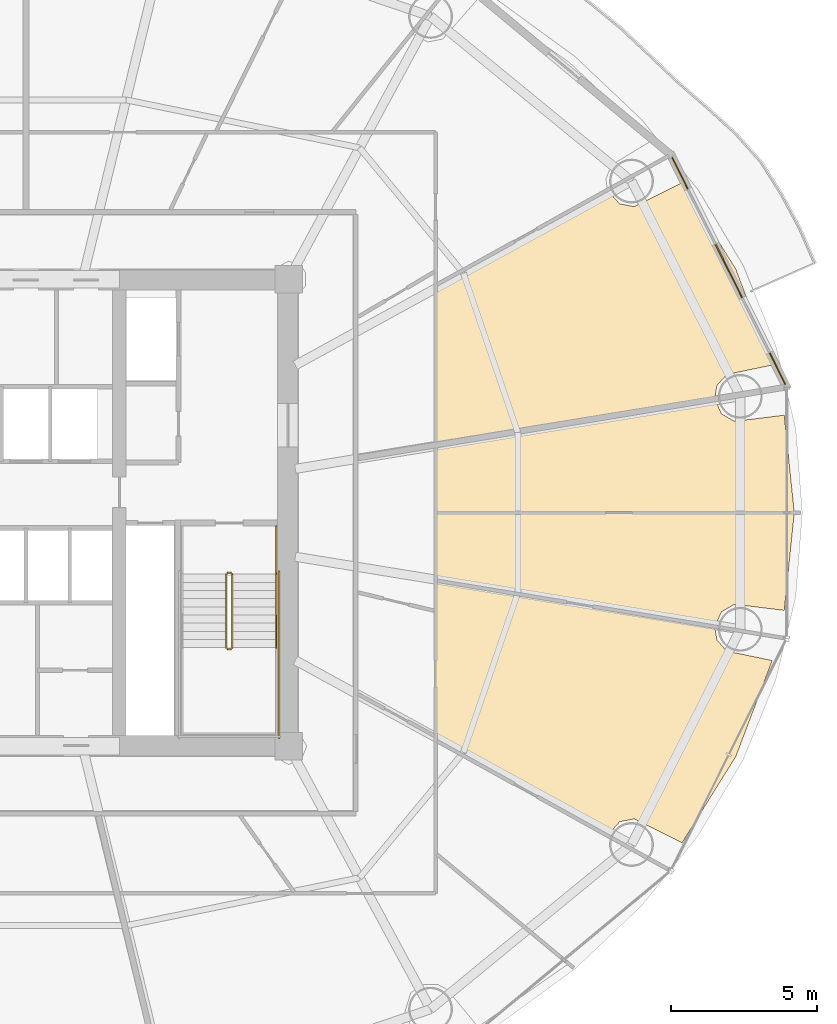
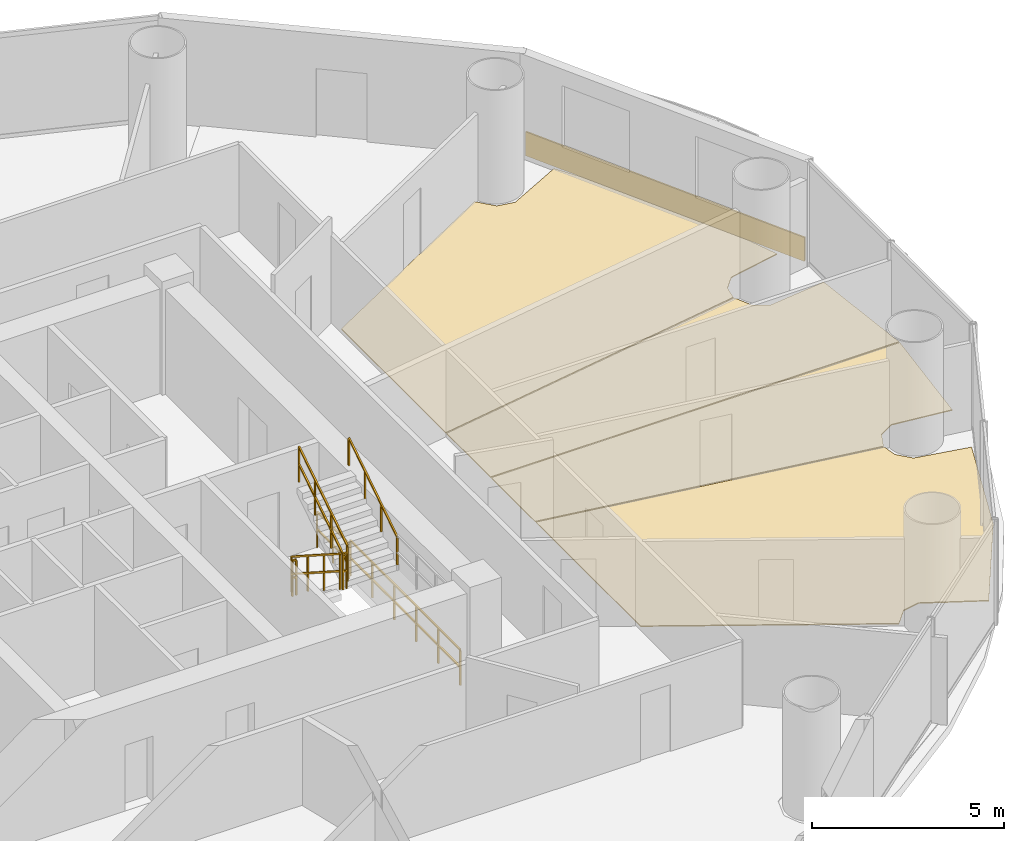
# One storey, part 28 of 29: 7 railings, 5 coverings.
"""IFC4 building model written with IfcOpenShell, lengths in metres."""

from ifc_helpers import new_model, si_unit, direction, frame, origin, origin_2d, place, context, subcontext, project, spatial, polyline, rectangle, outline, extrude, source, transform, mapped, material, layer, layer_set, type_object, element, save


model = new_model("IFC4")

# Units and contexts
model_context = context("Model", 3, precision=1e-05, world=origin(), true_north=direction((-0.2419218956, 0.970295726276)))
body_context = subcontext(model_context, "Body", "Model", "MODEL_VIEW")
ifc_project = project(units=[si_unit("LENGTHUNIT", "METRE"), si_unit("AREAUNIT", "SQUARE_METRE"), si_unit("VOLUMEUNIT", "CUBIC_METRE"), si_unit("PLANEANGLEUNIT", "RADIAN"), si_unit("MASSUNIT", "GRAM", prefix="KILO")], contexts=[model_context])

# Site, building, storey
site_placement = place(None, origin())
site = spatial("IfcSite", under=ifc_project, at=site_placement, CompositionType="ELEMENT")
building_placement = place(site_placement, origin())
building = spatial("IfcBuilding", under=site, at=building_placement, Name="Cobrevalo Terracotta Tower", CompositionType="ELEMENT")
storey_placement = place(building_placement, frame((0.0, 0.0, 83.39990234375)))
storey = spatial("IfcBuildingStorey", under=building, at=storey_placement, Name="L21", CompositionType="ELEMENT", Elevation=83.39990234375)

# Coverings
ifc_material_1 = material(Name="Engineered Brazilian hardwood flooring", Category="wood")
ifc_layer_1 = layer(ifc_material_1, 0.028076171875)
ifc_layer_set_1 = layer_set([ifc_layer_1], Name="Engineered Brazilian hardwood flooring")
covering_type_1 = type_object("IfcCoveringType", Name="Engineered Hardwood Suite Flooring 28", PredefinedType="FLOORING", material=ifc_layer_set_1)
covering_1_placement = place(storey_placement, origin())
element("IfcCovering", 1, at=covering_1_placement, inside=storey, type_object=covering_type_1, Name="Flat L21A Living and Dining Room floor finish", PredefinedType="FLOORING", context=body_context, shape_type="SweptSolid", body=[
    extrude(outline(polyline([(62.317138671875, 35.14892578125), (63.564208984375, 31.859619140625), (62.00732421875, 31.537841796875), (61.669677734375, 31.154541015625), (61.597412109375, 30.719970703125), (52.054931640625, 29.14306640625), (52.054931640625, 34.57958984375), (57.9296875, 37.8408203125), (58.338134765625, 37.381103515625), (58.84033203125, 37.286376953125), (60.474853515625, 38.10546875), (62.317138671875, 35.14892578125)])), origin(), (0.0, 0.0, 1.0), 0.030029296875),
])
covering_2_placement = place(storey_placement, origin())
element("IfcCovering", 2, at=covering_2_placement, inside=storey, type_object=covering_type_1, Name="Flat L21D Penthouse Family Lounge floor finish", PredefinedType="FLOORING", context=body_context, shape_type="SweptSolid", body=[
    extrude(outline(polyline([(60.474853515625, 15.49462890625), (58.84033203125, 16.3134765625), (58.338134765625, 16.218994140625), (57.9296875, 15.759033203125), (52.054931640625, 19.020263671875), (52.054931640625, 24.45703125), (61.597412109375, 22.8798828125), (61.669677734375, 22.445556640625), (62.00732421875, 22.06201171875), (63.564208984375, 21.740478515625), (62.317138671875, 18.451171875), (60.474853515625, 15.49462890625)])), origin(), (0.0, 0.0, 1.0), 0.030029296875),
])
covering_3_placement = place(storey_placement, origin())
element("IfcCovering", 3, at=covering_3_placement, inside=storey, type_object=covering_type_1, Name="Flat L21D Principal Guest Bedroom floor finish", PredefinedType="FLOORING", context=body_context, shape_type="SweptSolid", body=[
    extrude(outline(polyline([(64.318359375, 26.780029296875), (63.975830078125, 23.45654296875), (62.26904296875, 23.6669921875), (61.8271484375, 23.41064453125), (61.60302734375, 22.919677734375), (52.054931640625, 24.49755859375), (52.054931640625, 26.780029296875), (64.318359375, 26.780029296875)])), origin(), (0.0, 0.0, 1.0), 0.030029296875),
])
covering_4_placement = place(storey_placement, origin())
element("IfcCovering", 4, at=covering_4_placement, inside=storey, type_object=covering_type_1, Name="Flat L21D Penthouse Family Lounge floor finish", PredefinedType="FLOORING", context=body_context, shape_type="SweptSolid", body=[
    extrude(outline(polyline([(61.60302734375, 30.680419921875), (61.8271484375, 30.189208984375), (62.26904296875, 29.932861328125), (63.975830078125, 30.143310546875), (64.318359375, 26.820068359375), (52.054931640625, 26.820068359375), (52.054931640625, 29.1025390625), (61.60302734375, 30.680419921875)])), origin(), (0.0, 0.0, 1.0), 0.030029296875),
])

# Railings
ifc_material_2 = material(Name="Brushed stainless steel", Category="steel")
railing_type_1 = type_object("IfcRailingType", Name="Stainless Steel Stair Handrail 900", PredefinedType="HANDRAIL", material=ifc_material_2)
railing_1_placement = place(storey_placement, frame((46.574951171875, 22.179931640625, 1.97998046875)))
element("IfcRailing", 5, at=railing_1_placement, inside=storey, type_object=railing_type_1, Name="L21 ST-2 stair handrail 2", PredefinedType="HANDRAIL", context=body_context, shape_type="SweptSolid", body=[
    extrude(rectangle(XDim=0.048095703125, YDim=0.048095703125, at=origin_2d()), frame((0.0, 0.0, 0.8759765625), z_axis=(0.0, 0.841162588446, 0.540782303519), x_axis=(-1.0, 0.0, 0.0)), (0.0, 0.0, 1.0), 2.995849609375),
    extrude(rectangle(XDim=0.0419921875, YDim=0.0419921875, at=origin_2d()), origin(), (0.0, 0.0, 1.0), 0.851806640625),
    extrude(rectangle(XDim=0.0419921875, YDim=0.0419921875, at=origin_2d()), frame((0.0, 0.840087890625, 0.5400390625)), (0.0, 0.0, 1.0), 0.851806640625),
    extrude(rectangle(XDim=0.0419921875, YDim=0.0419921875, at=origin_2d()), frame((0.0, 1.679931640625, 1.080078125)), (0.0, 0.0, 1.0), 0.851806640625),
    extrude(rectangle(XDim=0.0419921875, YDim=0.0419921875, at=origin_2d()), frame((0.0, 2.52001953125, 1.6201171875)), (0.0, 0.0, 1.0), 0.851806640625),
])
ifc_material_3 = material(Name="Painted galvanized steel", Category="steel")
railing_type_2 = type_object("IfcRailingType", Name="Stair Well Guard Balustrade 1150", PredefinedType="GUARDRAIL", material=ifc_material_3)
railing_2_placement = place(storey_placement, frame((44.85498046875, 24.699951171875, 0.18017578125)))
element("IfcRailing", 6, at=railing_2_placement, inside=storey, type_object=railing_type_2, Name="L21 ST-2 stair guard 1", PredefinedType="GUARDRAIL", context=body_context, shape_type="SweptSolid", body=[
    extrude(rectangle(XDim=0.048095703125, YDim=0.048095703125, at=origin_2d()), frame((0.0, 0.0, 1.1259765625), z_axis=(0.0, -0.841199657755, 0.540724639528), x_axis=(1.0, 0.0, 0.0)), (0.0, 0.0, 1.0), 2.995849609375),
    extrude(rectangle(XDim=0.048095703125, YDim=0.048095703125, at=origin_2d()), frame((0.0, 0.0, 0.574951171875), z_axis=(0.0, -0.841199657755, 0.540724639528), x_axis=(1.0, 0.0, 0.0)), (0.0, 0.0, 1.0), 2.995849609375),
    extrude(rectangle(XDim=0.0419921875, YDim=0.0419921875, at=origin_2d()), origin(), (0.0, 0.0, 1.0), 1.101806640625),
    extrude(rectangle(XDim=0.0419921875, YDim=0.0419921875, at=origin_2d()), frame((0.0, -0.840087890625, 0.5400390625)), (0.0, 0.0, 1.0), 1.101806640625),
    extrude(rectangle(XDim=0.0419921875, YDim=0.0419921875, at=origin_2d()), frame((0.0, -1.679931640625, 1.079833984375)), (0.0, 0.0, 1.0), 1.101806640625),
    extrude(rectangle(XDim=0.0419921875, YDim=0.0419921875, at=origin_2d()), frame((0.0, -2.52001953125, 1.619873046875)), (0.0, 0.0, 1.0), 1.101806640625),
])
railing_3_placement = place(storey_placement, frame((44.905029296875, 22.1298828125, 1.800048828125)))
element("IfcRailing", 7, at=railing_3_placement, inside=storey, type_object=railing_type_2, Name="L21 ST-2 stair guard 2", PredefinedType="GUARDRAIL", context=body_context, shape_type="SweptSolid", body=[
    extrude(rectangle(XDim=0.048095703125, YDim=0.048095703125, at=origin_2d()), frame((0.0, 0.0, 1.1259765625), z_axis=(1.0, 0.0, 0.0), x_axis=(0.0, 1.0, 0.0)), (0.0, 0.0, 1.0), 0.119873046875),
    extrude(rectangle(XDim=0.048095703125, YDim=0.048095703125, at=origin_2d()), frame((0.0, 0.0, 0.574951171875), z_axis=(1.0, 0.0, 0.0), x_axis=(0.0, 1.0, 0.0)), (0.0, 0.0, 1.0), 0.119873046875),
    extrude(rectangle(XDim=0.0419921875, YDim=0.0419921875, at=origin_2d()), origin(), (0.0, 0.0, 1.0), 1.101806640625),
    extrude(rectangle(XDim=0.0419921875, YDim=0.0419921875, at=origin_2d()), frame((0.119873046875, 0.0, 0.0)), (0.0, 0.0, 1.0), 1.101806640625),
])
railing_4_placement = place(storey_placement, frame((45.074951171875, 22.179931640625, 1.97998046875)))
element("IfcRailing", 8, at=railing_4_placement, inside=storey, type_object=railing_type_2, Name="L21 ST-2 stair guard 6", PredefinedType="GUARDRAIL", context=body_context, shape_type="SweptSolid", body=[
    extrude(rectangle(XDim=0.048095703125, YDim=0.048095703125, at=origin_2d()), frame((0.0, 0.0, 1.1259765625), z_axis=(0.0, 0.841162588446, 0.540782303519), x_axis=(-1.0, 0.0, 0.0)), (0.0, 0.0, 1.0), 2.995849609375),
    extrude(rectangle(XDim=0.048095703125, YDim=0.048095703125, at=origin_2d()), frame((0.0, 0.0, 0.574951171875), z_axis=(0.0, 0.841162588446, 0.540782303519), x_axis=(-1.0, 0.0, 0.0)), (0.0, 0.0, 1.0), 2.995849609375),
    extrude(rectangle(XDim=0.0419921875, YDim=0.0419921875, at=origin_2d()), origin(), (0.0, 0.0, 1.0), 1.101806640625),
    extrude(rectangle(XDim=0.0419921875, YDim=0.0419921875, at=origin_2d()), frame((0.0, 0.840087890625, 0.5400390625)), (0.0, 0.0, 1.0), 1.101806640625),
    extrude(rectangle(XDim=0.0419921875, YDim=0.0419921875, at=origin_2d()), frame((0.0, 1.679931640625, 1.080078125)), (0.0, 0.0, 1.0), 1.101806640625),
    extrude(rectangle(XDim=0.0419921875, YDim=0.0419921875, at=origin_2d()), frame((0.0, 2.52001953125, 1.6201171875)), (0.0, 0.0, 1.0), 1.101806640625),
])
railing_5_placement = place(storey_placement, frame((44.905029296875, 24.75, 0.0)))
element("IfcRailing", 9, at=railing_5_placement, inside=storey, type_object=railing_type_2, Name="L21 ST-2 stair guard 7", PredefinedType="GUARDRAIL", context=body_context, shape_type="SweptSolid", body=[
    extrude(rectangle(XDim=0.048095703125, YDim=0.048095703125, at=origin_2d()), frame((0.0, 0.0, 1.1259765625), z_axis=(1.0, 0.0, 0.0), x_axis=(0.0, 1.0, 0.0)), (0.0, 0.0, 1.0), 0.119873046875),
    extrude(rectangle(XDim=0.048095703125, YDim=0.048095703125, at=origin_2d()), frame((0.0, 0.0, 0.574951171875), z_axis=(1.0, 0.0, 0.0), x_axis=(0.0, 1.0, 0.0)), (0.0, 0.0, 1.0), 0.119873046875),
    extrude(rectangle(XDim=0.0419921875, YDim=0.0419921875, at=origin_2d()), origin(), (0.0, 0.0, 1.0), 1.101806640625),
    extrude(rectangle(XDim=0.0419921875, YDim=0.0419921875, at=origin_2d()), frame((0.119873046875, 0.0, 0.0)), (0.0, 0.0, 1.0), 1.101806640625),
])
railing_6_placement = place(storey_placement, frame((46.574951171875, 26.35009765625, 0.0)))
element("IfcRailing", 10, at=railing_6_placement, inside=storey, type_object=railing_type_2, Name="L21 ST-2 stair guard 9", PredefinedType="GUARDRAIL", context=body_context, shape_type="SweptSolid", body=[
    extrude(rectangle(XDim=0.048095703125, YDim=0.048095703125, at=origin_2d()), frame((0.0, 0.0, 1.1259765625), z_axis=(0.0, -1.0, 0.0), x_axis=(1.0, 0.0, 0.0)), (0.0, 0.0, 1.0), 1.650146484375),
    extrude(rectangle(XDim=0.048095703125, YDim=0.048095703125, at=origin_2d()), frame((0.0, 0.0, 0.574951171875), z_axis=(0.0, -1.0, 0.0), x_axis=(1.0, 0.0, 0.0)), (0.0, 0.0, 1.0), 1.650146484375),
    extrude(rectangle(XDim=0.0419921875, YDim=0.0419921875, at=origin_2d()), origin(), (0.0, 0.0, 1.0), 1.101806640625),
    extrude(rectangle(XDim=0.0419921875, YDim=0.0419921875, at=origin_2d()), frame((0.0, -0.8251953125, 0.0)), (0.0, 0.0, 1.0), 1.101806640625),
    extrude(rectangle(XDim=0.0419921875, YDim=0.0419921875, at=origin_2d()), frame((0.0, -1.650146484375, 0.0)), (0.0, 0.0, 1.0), 1.101806640625),
])
railing_7_placement = place(storey_placement, frame((46.675048828125, 24.800048828125, 0.0)))
element("IfcRailing", 11, at=railing_7_placement, inside=storey, type_object=railing_type_2, Name="L21 ST-2 stair guard 11", PredefinedType="GUARDRAIL", context=body_context, shape_type="SweptSolid", body=[
    extrude(rectangle(XDim=0.048095703125, YDim=0.048095703125, at=origin_2d()), frame((0.0, 0.0, 1.1259765625), z_axis=(0.0, -1.0, 0.0), x_axis=(1.0, 0.0, 0.0)), (0.0, 0.0, 1.0), 5.72509765625),
    extrude(rectangle(XDim=0.048095703125, YDim=0.048095703125, at=origin_2d()), frame((0.0, 0.0, 0.574951171875), z_axis=(0.0, -1.0, 0.0), x_axis=(1.0, 0.0, 0.0)), (0.0, 0.0, 1.0), 5.72509765625),
    extrude(rectangle(XDim=0.0419921875, YDim=0.0419921875, at=origin_2d()), origin(), (0.0, 0.0, 1.0), 1.101806640625),
    extrude(rectangle(XDim=0.0419921875, YDim=0.0419921875, at=origin_2d()), frame((0.0, -1.14501953125, 0.0)), (0.0, 0.0, 1.0), 1.101806640625),
    extrude(rectangle(XDim=0.0419921875, YDim=0.0419921875, at=origin_2d()), frame((0.0, -2.2900390625, 0.0)), (0.0, 0.0, 1.0), 1.101806640625),
    extrude(rectangle(XDim=0.0419921875, YDim=0.0419921875, at=origin_2d()), frame((0.0, -3.43505859375, 0.0)), (0.0, 0.0, 1.0), 1.101806640625),
    extrude(rectangle(XDim=0.0419921875, YDim=0.0419921875, at=origin_2d()), frame((0.0, -4.580078125, 0.0)), (0.0, 0.0, 1.0), 1.101806640625),
    extrude(rectangle(XDim=0.0419921875, YDim=0.0419921875, at=origin_2d()), frame((0.0, -5.72509765625, 0.0)), (0.0, 0.0, 1.0), 1.101806640625),
])

# Covering
ifc_material_4 = material(Name="Glazed terracotta facade cladding tile", Category="masonry")
ifc_layer_2 = layer(ifc_material_4, 0.044921875)
ifc_layer_set_2 = layer_set([ifc_layer_2], Name="Glazed terracotta facade cladding tile")
covering_type_2 = type_object("IfcCoveringType", Name="Architectural terracotta rainscreen spandrel cladding 45 mm", PredefinedType="CLADDING", material=ifc_layer_set_2)
shared_shape = source(origin(), body_context, "Body", "SweptSolid", [
    extrude(rectangle(XDim=8.690185546875, YDim=0.044921875, at=origin_2d()), origin(), (0.0, 0.0, 1.0), 0.760009765625),
])
covering_5_placement = place(storey_placement, frame((62.075927734375, 35.08349609375, 0.0400390625), z_axis=(0.0, 0.0, 1.0), x_axis=(-0.446261852127, 0.894902430065, 0.0)))
element("IfcCovering", 12, at=covering_5_placement, inside=storey, type_object=covering_type_2, Name="L21 terracotta spandrel cladding S01", PredefinedType="CLADDING", context=body_context, shape_type="MappedRepresentation", body=[
    mapped(shared_shape, transform((0.0, 0.0, 0.0), scale=1.0)),
])

save(model, "model.ifc")
